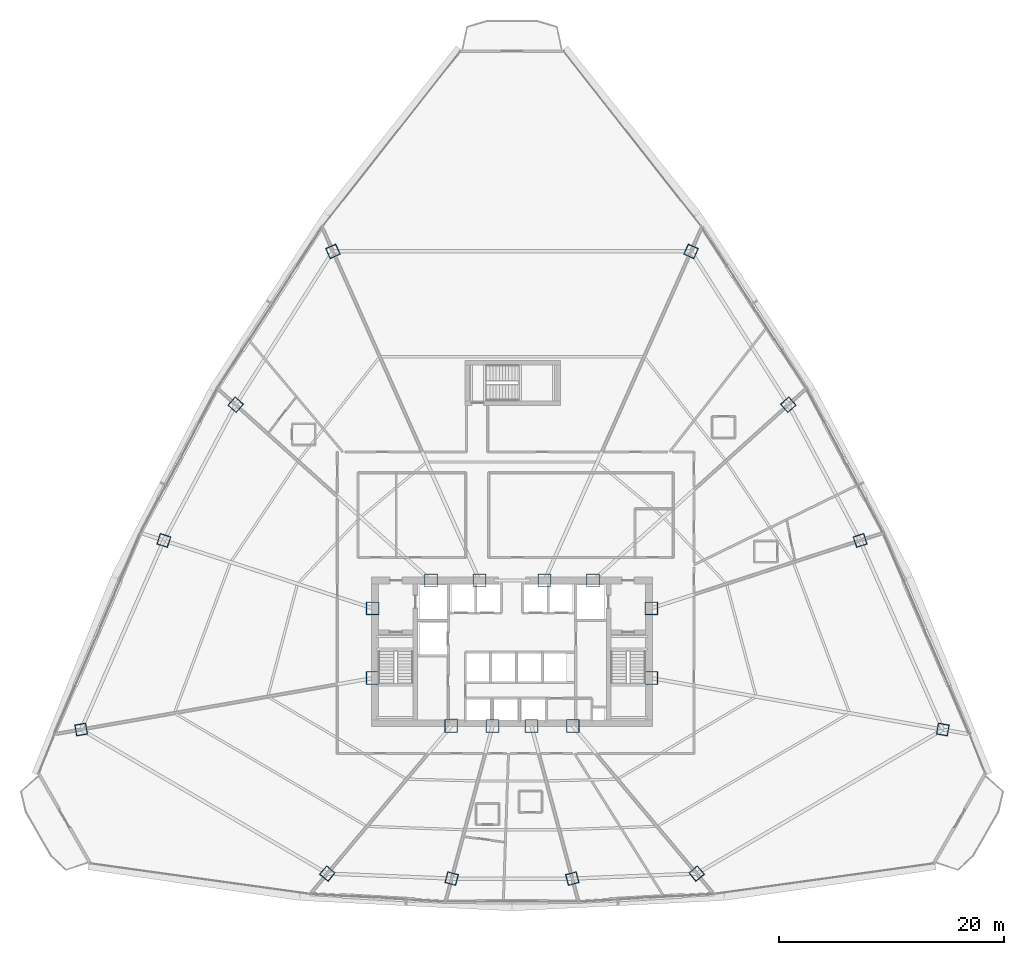
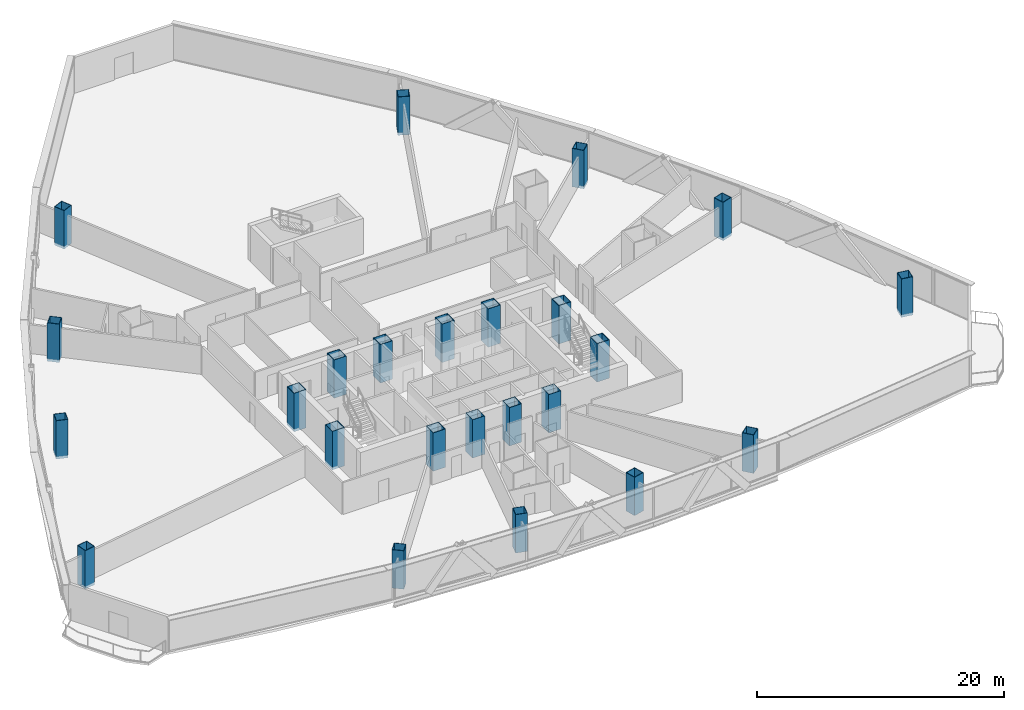
# One storey, part 1 of 37: 24 columns.
"""IFC4 building model written with IfcOpenShell, lengths in metres."""

from ifc_helpers import new_model, si_unit, direction, frame, origin, origin_2d, place, context, subcontext, project, spatial, hollow_rectangle, extrude, source, transform, mapped, material, material_profile, profile_set, type_object, element, save


model = new_model("IFC4")

# Units and contexts
model_context = context("Model", 3, precision=1e-05, world=origin(), true_north=direction((0.0, 1.0)))
body_context = subcontext(model_context, "Body", "Model", "MODEL_VIEW")
ifc_project = project(units=[si_unit("LENGTHUNIT", "METRE"), si_unit("AREAUNIT", "SQUARE_METRE"), si_unit("VOLUMEUNIT", "CUBIC_METRE"), si_unit("PLANEANGLEUNIT", "RADIAN"), si_unit("MASSUNIT", "GRAM", prefix="KILO"), si_unit("THERMODYNAMICTEMPERATUREUNIT", "KELVIN"), si_unit("POWERUNIT", "WATT")], contexts=[model_context])

# Site, building, storey
site_placement = place(None, origin())
site = spatial("IfcSite", under=ifc_project, at=site_placement, CompositionType="ELEMENT")
building_placement = place(site_placement, origin())
building = spatial("IfcBuilding", under=site, at=building_placement, Name="Yunzhuo Pagoda Commons", CompositionType="ELEMENT")
storey_placement = place(building_placement, frame((0.0, 0.0, 84.97998046875)))
storey = spatial("IfcBuildingStorey", under=building, at=storey_placement, Name="L21", CompositionType="ELEMENT", Elevation=84.97998046875)

# Columns
ifc_material = material(Name="Structural steel Q420B", Category="steel")
ifc_material_profile_1 = material_profile(ifc_material, hollow_rectangle(XDim=1.14990234375, YDim=1.14990234375, WallThickness=0.048095703125, at=origin_2d()), Name="Structural steel Q420B")
ifc_profile_set_1 = profile_set([ifc_material_profile_1], Name="Structural steel Q420B")
column_type_1 = type_object("IfcColumnType", Name="C-COR Column BOX 1150x1150x48", PredefinedType="COLUMN", material=ifc_profile_set_1)
shared_shape_1 = source(origin(), body_context, "Body", "SweptSolid", [
    extrude(hollow_rectangle(XDim=1.14990234375, YDim=1.14990234375, WallThickness=0.048095703125, at=origin_2d()), origin(), (0.0, 0.0, 1.0), 3.80029296875),
])
for number, where, z_axis, x_axis, name in (
    (1, (42.587890625, 27.25, -0.260009765625), (0.0, 0.0, 1.0), (1.0, 0.0, 0.0), "L21 core composite column F1C1"),
    (2, (46.27197265625, 27.25, -0.260009765625), (0.0, 0.0, 1.0), (1.0, 0.0, 0.0), "L21 core composite column F1C2"),
    (3, (49.728515625, 27.25, -0.260009765625), (0.0, 0.0, 1.0), (1.0, 0.0, 0.0), "L21 core composite column F1C3"),
    (4, (53.412109375, 27.25, -0.260009765625), (0.0, 0.0, 1.0), (1.0, 0.0, 0.0), "L21 core composite column F1C4"),
    (5, (60.39990234375, 31.513427734375, -0.260009765625), (0.0, 0.0, 1.0), (1.0, 0.0, 0.0), "L21 core composite column F2C1"),
    (6, (60.39990234375, 37.72900390625, -0.260009765625), (0.0, 0.0, 1.0), (1.0, 0.0, 0.0), "L21 core composite column F2C2"),
    (7, (55.218994140625, 40.199951171875, -0.260009765625), (0.0, 0.0, 1.0), (1.0, 0.0, 0.0), "L21 core composite column F2C3"),
    (8, (50.89404296875, 40.199951171875, -0.260009765625), (0.0, 0.0, 1.0), (1.0, 0.0, 0.0), "L21 core composite column F2C4"),
    (9, (45.10595703125, 40.199951171875, -0.260009765625), (0.0, 0.0, 1.0), (1.0, 0.0, 0.0), "L21 core composite column F3C1"),
    (10, (40.781005859375, 40.199951171875, -0.260009765625), (0.0, 0.0, 1.0), (1.0, 0.0, 0.0), "L21 core composite column F3C2"),
    (11, (35.60009765625, 37.72900390625, -0.260009765625), (0.0, 0.0, 1.0), (1.0, 0.0, 0.0), "L21 core composite column F3C3"),
    (12, (35.60009765625, 31.513427734375, -0.260009765625), (0.0, 0.0, 1.0), (1.0, 0.0, 0.0), "L21 core composite column F3C4"),
):
    element("IfcColumn", number, at=place(storey_placement, frame(where, z_axis=z_axis, x_axis=x_axis)), inside=storey, type_object=column_type_1, Name=name, PredefinedType="COLUMN", context=body_context, shape_type="MappedRepresentation", body=[
        mapped(shared_shape_1, transform((0.0, 0.0, 0.0), scale=1.0)),
    ])
ifc_material_profile_2 = material_profile(ifc_material, hollow_rectangle(XDim=1.0, YDim=1.0, WallThickness=0.0419921875, at=origin_2d()), Name="Structural steel Q420B")
ifc_profile_set_2 = profile_set([ifc_material_profile_2], Name="Structural steel Q420B")
column_type_2 = type_object("IfcColumnType", Name="C-Z2 Column BOX 1000x1000x42", PredefinedType="COLUMN", material=ifc_profile_set_2)
shared_shape_2 = source(origin(), body_context, "Body", "SweptSolid", [
    extrude(hollow_rectangle(XDim=1.0, YDim=1.0, WallThickness=0.0419921875, at=origin_2d()), origin(), (0.0, 0.0, 1.0), 3.80029296875),
])
for number, where, z_axis, x_axis, name in (
    (13, (31.56396484375, 14.1123046875, -0.260009765625), (0.0, 0.0, 1.0), (0.766044443119, -0.642787609687, 0.0), "L21 tower column F1C1"),
    (14, (42.632568359375, 13.66845703125, -0.260009765625), (0.0, 0.0, 1.0), (0.965925826289, -0.258819045103, 0.0), "L21 tower column F1C2"),
    (15, (53.367431640625, 13.66845703125, -0.260009765625), (0.0, 0.0, 1.0), (0.965925826289, 0.258819045103, 0.0), "L21 tower column F1C3"),
    (16, (64.43603515625, 14.1123046875, -0.260009765625), (0.0, 0.0, 1.0), (0.766044443119, 0.642787609687, 0.0), "L21 tower column F1C4"),
    (17, (86.352783203125, 26.9375, -0.260009765625), (0.0, 0.0, 1.0), (0.173648177667, 0.984807753012, 0.0), "L21 tower column F2C1"),
    (18, (78.99072265625, 43.76953125, -0.260009765625), (0.0, 0.0, 1.0), (-0.309016994375, 0.951056516295, 0.0), "L21 tower column F2C2"),
    (19, (72.602783203125, 55.852294921875, -0.260009765625), (0.0, 0.0, 1.0), (-0.669130606359, 0.743144825477, 0.0), "L21 tower column F2C3"),
    (20, (63.94140625, 69.505126953125, -0.260009765625), (0.0, 0.0, 1.0), (-0.913545457643, 0.406736643076, 0.0), "L21 tower column F2C4"),
    (21, (32.05859375, 69.505126953125, -0.260009765625), (0.0, 0.0, 1.0), (-0.913545457643, -0.406736643076, 0.0), "L21 tower column F3C1"),
    (22, (23.397216796875, 55.852294921875, -0.260009765625), (0.0, 0.0, 1.0), (-0.669130606359, -0.743144825477, 0.0), "L21 tower column F3C2"),
    (23, (17.00927734375, 43.76953125, -0.260009765625), (0.0, 0.0, 1.0), (-0.309016994375, -0.951056516295, 0.0), "L21 tower column F3C3"),
    (24, (9.647216796875, 26.9375, -0.260009765625), (0.0, 0.0, 1.0), (0.173648177667, -0.984807753012, 0.0), "L21 tower column F3C4"),
):
    element("IfcColumn", number, at=place(storey_placement, frame(where, z_axis=z_axis, x_axis=x_axis)), inside=storey, type_object=column_type_2, Name=name, PredefinedType="COLUMN", context=body_context, shape_type="MappedRepresentation", body=[
        mapped(shared_shape_2, transform((0.0, 0.0, 0.0), scale=1.0)),
    ])

save(model, "model.ifc")
